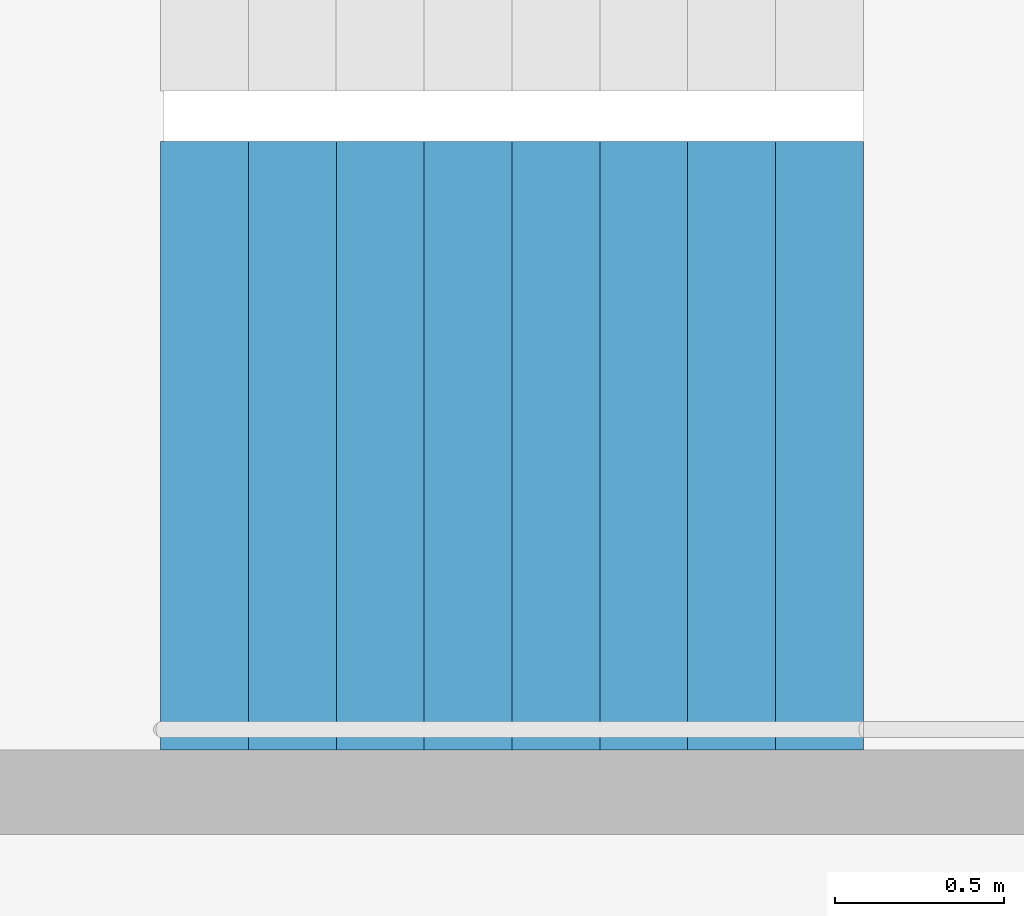
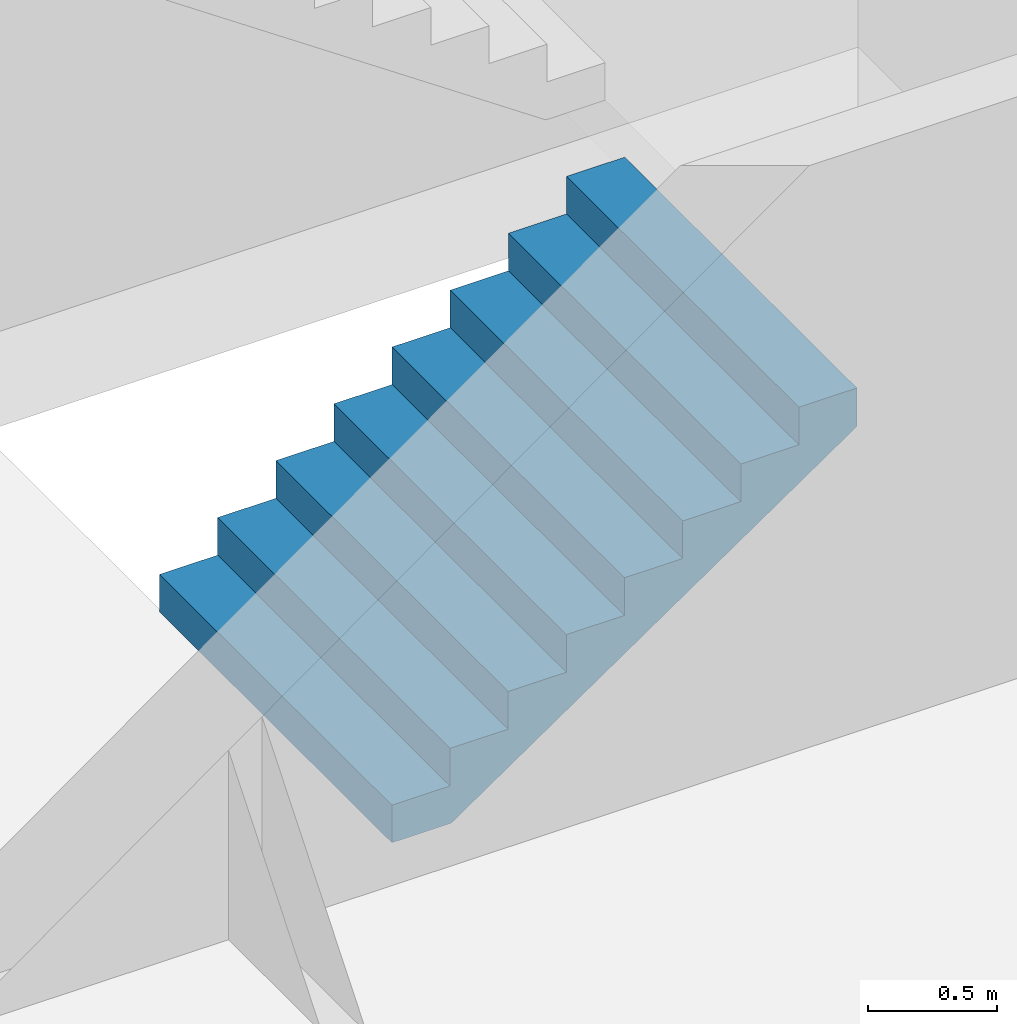
# One storey, part 21 of 32: 1 stair flight, 1 element without a shape of its own.
"""IFC4 building model written with IfcOpenShell, lengths in metres."""

from ifc_helpers import new_model, si_unit, direction, frame, origin, place, context, subcontext, project, spatial, triangles, material, type_object, element, aggregate, save


model = new_model("IFC4")

# Units and contexts
model_context = context("Model", 3, precision=1e-05, world=origin(), true_north=direction((0.0, 1.0)))
body_context = subcontext(model_context, "Body", "Model", "MODEL_VIEW")
ifc_project = project(units=[si_unit("LENGTHUNIT", "METRE"), si_unit("AREAUNIT", "SQUARE_METRE"), si_unit("VOLUMEUNIT", "CUBIC_METRE"), si_unit("PLANEANGLEUNIT", "RADIAN"), si_unit("MASSUNIT", "GRAM", prefix="KILO")], contexts=[model_context])

# Site, building, storey
site_placement = place(None, origin())
site = spatial("IfcSite", under=ifc_project, at=site_placement, CompositionType="ELEMENT")
building_placement = place(site_placement, origin())
building = spatial("IfcBuilding", under=site, at=building_placement, Name="Hakoniwa Tower and Hamabe Station Hall", CompositionType="ELEMENT")
storey_placement = place(building_placement, frame((0.0, 0.0, 150.199951171875)))
storey = spatial("IfcBuildingStorey", under=building, at=storey_placement, Name="L42", CompositionType="ELEMENT", Elevation=150.199951171875)

# Stair, stair flight
ifc_material_1 = material(Name="Concrete C40", Category="concrete")
stair_type = type_object("IfcStairType", Name="ESCAPE STAIR 1800", PredefinedType="HALF_TURN_STAIR", material=ifc_material_1)
stair_placement = place(storey_placement, origin())
stair = element("IfcStair", 1, at=stair_placement, inside=storey, type_object=stair_type, Name="Escape stair ST-1 L42", PredefinedType="HALF_TURN_STAIR")
ifc_material_2 = material(Name="Concrete C40", Category="concrete")
stair_flight_type = type_object("IfcStairFlightType", Name="STAIR FLIGHT 1800", PredefinedType="STRAIGHT", material=ifc_material_2)
stair_flight_placement = place(storey_placement, frame((-24.39990234375, 4.64990234375, 0.0), z_axis=(0.0, 0.0, 1.0), x_axis=(1.0, 0.0, 0.0)))
stair_flight = element("IfcStairFlight", 2, at=stair_flight_placement, type_object=stair_flight_type, Name="ST-1 flight 1", NumberOfRisers=9, NumberOfTreads=8, PredefinedType="STRAIGHT", RiserHeight=0.177777778, TreadLength=0.26, context=body_context, shape_type="Tessellation", body=[
    triangles([(0.0, 0.89990234375, 0.0), (0.260009765625, 0.89990234375, 0.0), (0.265625, 0.89990234375, 0.0), (0.52001953125, 0.89990234375, 0.174072265625), (0.780029296875, 0.89990234375, 0.351806640625), (1.0400390625, 0.89990234375, 0.529541015625), (1.300048828125, 0.89990234375, 0.707275390625), (1.56005859375, 0.89990234375, 0.885009765625), (1.820068359375, 0.89990234375, 1.062744140625), (2.080078125, 0.89990234375, 1.24072265625), (2.080078125, 0.89990234375, 1.422119140625), (1.820068359375, 0.89990234375, 1.422119140625), (1.820068359375, 0.89990234375, 1.244384765625), (1.56005859375, 0.89990234375, 1.244384765625), (1.56005859375, 0.89990234375, 1.066650390625), (1.300048828125, 0.89990234375, 1.066650390625), (1.300048828125, 0.89990234375, 0.888916015625), (1.0400390625, 0.89990234375, 0.888916015625), (1.0400390625, 0.89990234375, 0.711181640625), (0.780029296875, 0.89990234375, 0.711181640625), (0.780029296875, 0.89990234375, 0.533447265625), (0.52001953125, 0.89990234375, 0.533447265625), (0.52001953125, 0.89990234375, 0.35546875), (0.265625, 0.89990234375, 0.35546875), (0.260009765625, 0.89990234375, 0.35546875), (0.260009765625, 0.89990234375, 0.177734375), (0.0, 0.89990234375, 0.177734375), (0.0, 0.06005859375, 0.0), (0.260009765625, 0.06005859375, 0.0), (0.265625, 0.06005859375, 0.0), (0.52001953125, 0.06005859375, 0.174072265625), (0.780029296875, 0.06005859375, 0.351806640625), (1.0400390625, 0.06005859375, 0.529541015625), (1.300048828125, 0.06005859375, 0.707275390625), (1.56005859375, 0.06005859375, 0.885009765625), (1.820068359375, 0.06005859375, 1.062744140625), (2.080078125, 0.06005859375, 1.24072265625), (2.080078125, 0.06005859375, 1.422119140625), (1.820068359375, 0.06005859375, 1.422119140625), (1.820068359375, 0.06005859375, 1.244384765625), (1.56005859375, 0.06005859375, 1.244384765625), (1.56005859375, 0.06005859375, 1.066650390625), (1.300048828125, 0.06005859375, 1.066650390625), (1.300048828125, 0.06005859375, 0.888916015625), (1.0400390625, 0.06005859375, 0.888916015625), (1.0400390625, 0.06005859375, 0.711181640625), (0.780029296875, 0.06005859375, 0.711181640625), (0.780029296875, 0.06005859375, 0.533447265625), (0.52001953125, 0.06005859375, 0.533447265625), (0.52001953125, 0.06005859375, 0.35546875), (0.265625, 0.06005859375, 0.35546875), (0.260009765625, 0.06005859375, 0.35546875), (0.260009765625, 0.06005859375, 0.177734375), (0.0, 0.06005859375, 0.177734375), (0.0, 0.04296875, 0.0), (0.260009765625, 0.04296875, 0.0), (0.265625, 0.04296875, 0.0), (0.52001953125, 0.04296875, 0.174072265625), (0.780029296875, 0.04296875, 0.351806640625), (1.0400390625, 0.04296875, 0.529541015625), (1.300048828125, 0.04296875, 0.707275390625), (1.56005859375, 0.04296875, 0.885009765625), (1.820068359375, 0.04296875, 1.062744140625), (2.080078125, 0.04296875, 1.24072265625), (2.080078125, 0.04296875, 1.422119140625), (1.820068359375, 0.04296875, 1.422119140625), (1.820068359375, 0.04296875, 1.244384765625), (1.56005859375, 0.04296875, 1.244384765625), (1.56005859375, 0.04296875, 1.066650390625), (1.300048828125, 0.04296875, 1.066650390625), (1.300048828125, 0.04296875, 0.888916015625), (1.0400390625, 0.04296875, 0.888916015625), (1.0400390625, 0.04296875, 0.711181640625), (0.780029296875, 0.04296875, 0.711181640625), (0.780029296875, 0.04296875, 0.533447265625), (0.52001953125, 0.04296875, 0.533447265625), (0.52001953125, 0.04296875, 0.35546875), (0.265625, 0.04296875, 0.35546875), (0.260009765625, 0.04296875, 0.35546875), (0.260009765625, 0.04296875, 0.177734375), (0.0, 0.04296875, 0.177734375), (0.0, 0.025634765625, 0.0), (0.260009765625, 0.025634765625, 0.0), (0.265625, 0.025634765625, 0.0), (0.52001953125, 0.025634765625, 0.174072265625), (0.780029296875, 0.025634765625, 0.351806640625), (1.0400390625, 0.025634765625, 0.529541015625), (1.300048828125, 0.025634765625, 0.707275390625), (1.56005859375, 0.025634765625, 0.885009765625), (1.820068359375, 0.025634765625, 1.062744140625), (2.080078125, 0.025634765625, 1.24072265625), (2.080078125, 0.025634765625, 1.422119140625), (1.820068359375, 0.025634765625, 1.422119140625), (1.820068359375, 0.025634765625, 1.244384765625), (1.56005859375, 0.025634765625, 1.244384765625), (1.56005859375, 0.025634765625, 1.066650390625), (1.300048828125, 0.025634765625, 1.066650390625), (1.300048828125, 0.025634765625, 0.888916015625), (1.0400390625, 0.025634765625, 0.888916015625), (1.0400390625, 0.025634765625, 0.711181640625), (0.780029296875, 0.025634765625, 0.711181640625), (0.780029296875, 0.025634765625, 0.533447265625), (0.52001953125, 0.025634765625, 0.533447265625), (0.52001953125, 0.025634765625, 0.35546875), (0.265625, 0.025634765625, 0.35546875), (0.260009765625, 0.025634765625, 0.35546875), (0.260009765625, 0.025634765625, 0.177734375), (0.0, 0.025634765625, 0.177734375), (0.0, 0.008544921875, 0.0), (0.260009765625, 0.008544921875, 0.0), (0.265625, 0.008544921875, 0.0), (0.52001953125, 0.008544921875, 0.174072265625), (0.780029296875, 0.008544921875, 0.351806640625), (1.0400390625, 0.008544921875, 0.529541015625), (1.300048828125, 0.008544921875, 0.707275390625), (1.56005859375, 0.008544921875, 0.885009765625), (1.820068359375, 0.008544921875, 1.062744140625), (2.080078125, 0.008544921875, 1.24072265625), (2.080078125, 0.008544921875, 1.422119140625), (1.820068359375, 0.008544921875, 1.422119140625), (1.820068359375, 0.008544921875, 1.244384765625), (1.56005859375, 0.008544921875, 1.244384765625), (1.56005859375, 0.008544921875, 1.066650390625), (1.300048828125, 0.008544921875, 1.066650390625), (1.300048828125, 0.008544921875, 0.888916015625), (1.0400390625, 0.008544921875, 0.888916015625), (1.0400390625, 0.008544921875, 0.711181640625), (0.780029296875, 0.008544921875, 0.711181640625), (0.780029296875, 0.008544921875, 0.533447265625), (0.52001953125, 0.008544921875, 0.533447265625), (0.52001953125, 0.008544921875, 0.35546875), (0.265625, 0.008544921875, 0.35546875), (0.260009765625, 0.008544921875, 0.35546875), (0.260009765625, 0.008544921875, 0.177734375), (0.0, 0.008544921875, 0.177734375), (0.0, -0.008544921875, 0.0), (0.260009765625, -0.008544921875, 0.0), (0.265625, -0.008544921875, 0.0), (0.52001953125, -0.008544921875, 0.174072265625), (0.780029296875, -0.008544921875, 0.351806640625), (1.0400390625, -0.008544921875, 0.529541015625), (1.300048828125, -0.008544921875, 0.707275390625), (1.56005859375, -0.008544921875, 0.885009765625), (1.820068359375, -0.008544921875, 1.062744140625), (2.080078125, -0.008544921875, 1.24072265625), (2.080078125, -0.008544921875, 1.422119140625), (1.820068359375, -0.008544921875, 1.422119140625), (1.820068359375, -0.008544921875, 1.244384765625), (1.56005859375, -0.008544921875, 1.244384765625), (1.56005859375, -0.008544921875, 1.066650390625), (1.300048828125, -0.008544921875, 1.066650390625), (1.300048828125, -0.008544921875, 0.888916015625), (1.0400390625, -0.008544921875, 0.888916015625), (1.0400390625, -0.008544921875, 0.711181640625), (0.780029296875, -0.008544921875, 0.711181640625), (0.780029296875, -0.008544921875, 0.533447265625), (0.52001953125, -0.008544921875, 0.533447265625), (0.52001953125, -0.008544921875, 0.35546875), (0.265625, -0.008544921875, 0.35546875), (0.260009765625, -0.008544921875, 0.35546875), (0.260009765625, -0.008544921875, 0.177734375), (0.0, -0.008544921875, 0.177734375), (0.0, -0.025634765625, 0.0), (0.260009765625, -0.025634765625, 0.0), (0.265625, -0.025634765625, 0.0), (0.52001953125, -0.025634765625, 0.174072265625), (0.780029296875, -0.025634765625, 0.351806640625), (1.0400390625, -0.025634765625, 0.529541015625), (1.300048828125, -0.025634765625, 0.707275390625), (1.56005859375, -0.025634765625, 0.885009765625), (1.820068359375, -0.025634765625, 1.062744140625), (2.080078125, -0.025634765625, 1.24072265625), (2.080078125, -0.025634765625, 1.422119140625), (1.820068359375, -0.025634765625, 1.422119140625), (1.820068359375, -0.025634765625, 1.244384765625), (1.56005859375, -0.025634765625, 1.244384765625), (1.56005859375, -0.025634765625, 1.066650390625), (1.300048828125, -0.025634765625, 1.066650390625), (1.300048828125, -0.025634765625, 0.888916015625), (1.0400390625, -0.025634765625, 0.888916015625), (1.0400390625, -0.025634765625, 0.711181640625), (0.780029296875, -0.025634765625, 0.711181640625), (0.780029296875, -0.025634765625, 0.533447265625), (0.52001953125, -0.025634765625, 0.533447265625), (0.52001953125, -0.025634765625, 0.35546875), (0.265625, -0.025634765625, 0.35546875), (0.260009765625, -0.025634765625, 0.35546875), (0.260009765625, -0.025634765625, 0.177734375), (0.0, -0.025634765625, 0.177734375), (0.0, -0.04296875, 0.0), (0.260009765625, -0.04296875, 0.0), (0.265625, -0.04296875, 0.0), (0.52001953125, -0.04296875, 0.174072265625), (0.780029296875, -0.04296875, 0.351806640625), (1.0400390625, -0.04296875, 0.529541015625), (1.300048828125, -0.04296875, 0.707275390625), (1.56005859375, -0.04296875, 0.885009765625), (1.820068359375, -0.04296875, 1.062744140625), (2.080078125, -0.04296875, 1.24072265625), (2.080078125, -0.04296875, 1.422119140625), (1.820068359375, -0.04296875, 1.422119140625), (1.820068359375, -0.04296875, 1.244384765625), (1.56005859375, -0.04296875, 1.244384765625), (1.56005859375, -0.04296875, 1.066650390625), (1.300048828125, -0.04296875, 1.066650390625), (1.300048828125, -0.04296875, 0.888916015625), (1.0400390625, -0.04296875, 0.888916015625), (1.0400390625, -0.04296875, 0.711181640625), (0.780029296875, -0.04296875, 0.711181640625), (0.780029296875, -0.04296875, 0.533447265625), (0.52001953125, -0.04296875, 0.533447265625), (0.52001953125, -0.04296875, 0.35546875), (0.265625, -0.04296875, 0.35546875), (0.260009765625, -0.04296875, 0.35546875), (0.260009765625, -0.04296875, 0.177734375), (0.0, -0.04296875, 0.177734375), (0.0, -0.06005859375, 0.0), (0.260009765625, -0.06005859375, 0.0), (0.265625, -0.06005859375, 0.0), (0.52001953125, -0.06005859375, 0.174072265625), (0.780029296875, -0.06005859375, 0.351806640625), (1.0400390625, -0.06005859375, 0.529541015625), (1.300048828125, -0.06005859375, 0.707275390625), (1.56005859375, -0.06005859375, 0.885009765625), (1.820068359375, -0.06005859375, 1.062744140625), (2.080078125, -0.06005859375, 1.24072265625), (2.080078125, -0.06005859375, 1.422119140625), (1.820068359375, -0.06005859375, 1.422119140625), (1.820068359375, -0.06005859375, 1.244384765625), (1.56005859375, -0.06005859375, 1.244384765625), (1.56005859375, -0.06005859375, 1.066650390625), (1.300048828125, -0.06005859375, 1.066650390625), (1.300048828125, -0.06005859375, 0.888916015625), (1.0400390625, -0.06005859375, 0.888916015625), (1.0400390625, -0.06005859375, 0.711181640625), (0.780029296875, -0.06005859375, 0.711181640625), (0.780029296875, -0.06005859375, 0.533447265625), (0.52001953125, -0.06005859375, 0.533447265625), (0.52001953125, -0.06005859375, 0.35546875), (0.265625, -0.06005859375, 0.35546875), (0.260009765625, -0.06005859375, 0.35546875), (0.260009765625, -0.06005859375, 0.177734375), (0.0, -0.06005859375, 0.177734375), (0.0, -0.89990234375, 0.0), (0.260009765625, -0.89990234375, 0.0), (0.265625, -0.89990234375, 0.0), (0.52001953125, -0.89990234375, 0.174072265625), (0.780029296875, -0.89990234375, 0.351806640625), (1.0400390625, -0.89990234375, 0.529541015625), (1.300048828125, -0.89990234375, 0.707275390625), (1.56005859375, -0.89990234375, 0.885009765625), (1.820068359375, -0.89990234375, 1.062744140625), (2.080078125, -0.89990234375, 1.24072265625), (2.080078125, -0.89990234375, 1.422119140625), (1.820068359375, -0.89990234375, 1.422119140625), (1.820068359375, -0.89990234375, 1.244384765625), (1.56005859375, -0.89990234375, 1.244384765625), (1.56005859375, -0.89990234375, 1.066650390625), (1.300048828125, -0.89990234375, 1.066650390625), (1.300048828125, -0.89990234375, 0.888916015625), (1.0400390625, -0.89990234375, 0.888916015625), (1.0400390625, -0.89990234375, 0.711181640625), (0.780029296875, -0.89990234375, 0.711181640625), (0.780029296875, -0.89990234375, 0.533447265625), (0.52001953125, -0.89990234375, 0.533447265625), (0.52001953125, -0.89990234375, 0.35546875), (0.265625, -0.89990234375, 0.35546875), (0.260009765625, -0.89990234375, 0.35546875), (0.260009765625, -0.89990234375, 0.177734375), (0.0, -0.89990234375, 0.177734375)], [[2, 27, 26], [245, 269, 270], [2, 1, 27], [245, 270, 244], [3, 25, 24], [246, 267, 268], [3, 26, 25], [246, 268, 269], [3, 2, 26], [246, 269, 245], [4, 24, 23], [247, 266, 267], [4, 3, 24], [247, 267, 246], [5, 22, 21], [248, 264, 265], [5, 23, 22], [248, 265, 266], [5, 4, 23], [248, 266, 247], [6, 20, 19], [249, 262, 263], [6, 21, 20], [249, 263, 264], [6, 5, 21], [249, 264, 248], [7, 18, 17], [250, 260, 261], [7, 19, 18], [250, 261, 262], [7, 6, 19], [250, 262, 249], [8, 16, 15], [251, 258, 259], [8, 17, 16], [251, 259, 260], [8, 7, 17], [251, 260, 250], [9, 14, 13], [252, 256, 257], [9, 15, 14], [252, 257, 258], [9, 8, 15], [252, 258, 251], [10, 12, 11], [253, 254, 255], [10, 13, 12], [253, 255, 256], [10, 9, 13], [253, 256, 252], [1, 2, 29], [1, 29, 28], [28, 29, 56], [28, 56, 55], [55, 56, 83], [55, 83, 82], [82, 83, 110], [82, 110, 109], [109, 110, 137], [109, 137, 136], [136, 137, 164], [136, 164, 163], [163, 164, 191], [163, 191, 190], [190, 191, 218], [190, 218, 217], [217, 218, 245], [217, 245, 244], [2, 3, 30], [2, 30, 29], [29, 30, 57], [29, 57, 56], [56, 57, 84], [56, 84, 83], [83, 84, 111], [83, 111, 110], [110, 111, 138], [110, 138, 137], [137, 138, 165], [137, 165, 164], [164, 165, 192], [164, 192, 191], [191, 192, 219], [191, 219, 218], [218, 219, 246], [218, 246, 245], [3, 4, 31], [3, 31, 30], [30, 31, 58], [30, 58, 57], [57, 58, 85], [57, 85, 84], [84, 85, 112], [84, 112, 111], [111, 112, 139], [111, 139, 138], [138, 139, 166], [138, 166, 165], [165, 166, 193], [165, 193, 192], [192, 193, 220], [192, 220, 219], [219, 220, 247], [219, 247, 246], [4, 5, 32], [4, 32, 31], [31, 32, 59], [31, 59, 58], [58, 59, 86], [58, 86, 85], [85, 86, 113], [85, 113, 112], [112, 113, 140], [112, 140, 139], [139, 140, 167], [139, 167, 166], [166, 167, 194], [166, 194, 193], [193, 194, 221], [193, 221, 220], [220, 221, 248], [220, 248, 247], [5, 6, 33], [5, 33, 32], [32, 33, 60], [32, 60, 59], [59, 60, 87], [59, 87, 86], [86, 87, 114], [86, 114, 113], [113, 114, 141], [113, 141, 140], [140, 141, 168], [140, 168, 167], [167, 168, 195], [167, 195, 194], [194, 195, 222], [194, 222, 221], [221, 222, 249], [221, 249, 248], [6, 7, 34], [6, 34, 33], [33, 34, 61], [33, 61, 60], [60, 61, 88], [60, 88, 87], [87, 88, 115], [87, 115, 114], [114, 115, 142], [114, 142, 141], [141, 142, 169], [141, 169, 168], [168, 169, 196], [168, 196, 195], [195, 196, 223], [195, 223, 222], [222, 223, 250], [222, 250, 249], [7, 8, 35], [7, 35, 34], [34, 35, 62], [34, 62, 61], [61, 62, 89], [61, 89, 88], [88, 89, 116], [88, 116, 115], [115, 116, 143], [115, 143, 142], [142, 143, 170], [142, 170, 169], [169, 170, 197], [169, 197, 196], [196, 197, 224], [196, 224, 223], [223, 224, 251], [223, 251, 250], [8, 9, 36], [8, 36, 35], [35, 36, 63], [35, 63, 62], [62, 63, 90], [62, 90, 89], [89, 90, 117], [89, 117, 116], [116, 117, 144], [116, 144, 143], [143, 144, 171], [143, 171, 170], [170, 171, 198], [170, 198, 197], [197, 198, 225], [197, 225, 224], [224, 225, 252], [224, 252, 251], [9, 10, 37], [9, 37, 36], [36, 37, 64], [36, 64, 63], [63, 64, 91], [63, 91, 90], [90, 91, 118], [90, 118, 117], [117, 118, 145], [117, 145, 144], [144, 145, 172], [144, 172, 171], [171, 172, 199], [171, 199, 198], [198, 199, 226], [198, 226, 225], [225, 226, 253], [225, 253, 252], [10, 11, 38], [10, 38, 37], [37, 38, 65], [37, 65, 64], [64, 65, 92], [64, 92, 91], [91, 92, 119], [91, 119, 118], [118, 119, 146], [118, 146, 145], [145, 146, 173], [145, 173, 172], [172, 173, 200], [172, 200, 199], [199, 200, 227], [199, 227, 226], [226, 227, 254], [226, 254, 253], [11, 12, 39], [11, 39, 38], [38, 39, 66], [38, 66, 65], [65, 66, 93], [65, 93, 92], [92, 93, 120], [92, 120, 119], [119, 120, 147], [119, 147, 146], [146, 147, 174], [146, 174, 173], [173, 174, 201], [173, 201, 200], [200, 201, 228], [200, 228, 227], [227, 228, 255], [227, 255, 254], [12, 13, 40], [12, 40, 39], [39, 40, 67], [39, 67, 66], [66, 67, 94], [66, 94, 93], [93, 94, 121], [93, 121, 120], [120, 121, 148], [120, 148, 147], [147, 148, 175], [147, 175, 174], [174, 175, 202], [174, 202, 201], [201, 202, 229], [201, 229, 228], [228, 229, 256], [228, 256, 255], [13, 14, 41], [13, 41, 40], [40, 41, 68], [40, 68, 67], [67, 68, 95], [67, 95, 94], [94, 95, 122], [94, 122, 121], [121, 122, 149], [121, 149, 148], [148, 149, 176], [148, 176, 175], [175, 176, 203], [175, 203, 202], [202, 203, 230], [202, 230, 229], [229, 230, 257], [229, 257, 256], [14, 15, 42], [14, 42, 41], [41, 42, 69], [41, 69, 68], [68, 69, 96], [68, 96, 95], [95, 96, 123], [95, 123, 122], [122, 123, 150], [122, 150, 149], [149, 150, 177], [149, 177, 176], [176, 177, 204], [176, 204, 203], [203, 204, 231], [203, 231, 230], [230, 231, 258], [230, 258, 257], [15, 16, 43], [15, 43, 42], [42, 43, 70], [42, 70, 69], [69, 70, 97], [69, 97, 96], [96, 97, 124], [96, 124, 123], [123, 124, 151], [123, 151, 150], [150, 151, 178], [150, 178, 177], [177, 178, 205], [177, 205, 204], [204, 205, 232], [204, 232, 231], [231, 232, 259], [231, 259, 258], [16, 17, 44], [16, 44, 43], [43, 44, 71], [43, 71, 70], [70, 71, 98], [70, 98, 97], [97, 98, 125], [97, 125, 124], [124, 125, 152], [124, 152, 151], [151, 152, 179], [151, 179, 178], [178, 179, 206], [178, 206, 205], [205, 206, 233], [205, 233, 232], [232, 233, 260], [232, 260, 259], [17, 18, 45], [17, 45, 44], [44, 45, 72], [44, 72, 71], [71, 72, 99], [71, 99, 98], [98, 99, 126], [98, 126, 125], [125, 126, 153], [125, 153, 152], [152, 153, 180], [152, 180, 179], [179, 180, 207], [179, 207, 206], [206, 207, 234], [206, 234, 233], [233, 234, 261], [233, 261, 260], [18, 19, 46], [18, 46, 45], [45, 46, 73], [45, 73, 72], [72, 73, 100], [72, 100, 99], [99, 100, 127], [99, 127, 126], [126, 127, 154], [126, 154, 153], [153, 154, 181], [153, 181, 180], [180, 181, 208], [180, 208, 207], [207, 208, 235], [207, 235, 234], [234, 235, 262], [234, 262, 261], [19, 20, 47], [19, 47, 46], [46, 47, 74], [46, 74, 73], [73, 74, 101], [73, 101, 100], [100, 101, 128], [100, 128, 127], [127, 128, 155], [127, 155, 154], [154, 155, 182], [154, 182, 181], [181, 182, 209], [181, 209, 208], [208, 209, 236], [208, 236, 235], [235, 236, 263], [235, 263, 262], [20, 21, 48], [20, 48, 47], [47, 48, 75], [47, 75, 74], [74, 75, 102], [74, 102, 101], [101, 102, 129], [101, 129, 128], [128, 129, 156], [128, 156, 155], [155, 156, 183], [155, 183, 182], [182, 183, 210], [182, 210, 209], [209, 210, 237], [209, 237, 236], [236, 237, 264], [236, 264, 263], [21, 22, 49], [21, 49, 48], [48, 49, 76], [48, 76, 75], [75, 76, 103], [75, 103, 102], [102, 103, 130], [102, 130, 129], [129, 130, 157], [129, 157, 156], [156, 157, 184], [156, 184, 183], [183, 184, 211], [183, 211, 210], [210, 211, 238], [210, 238, 237], [237, 238, 265], [237, 265, 264], [22, 23, 50], [22, 50, 49], [49, 50, 77], [49, 77, 76], [76, 77, 104], [76, 104, 103], [103, 104, 131], [103, 131, 130], [130, 131, 158], [130, 158, 157], [157, 158, 185], [157, 185, 184], [184, 185, 212], [184, 212, 211], [211, 212, 239], [211, 239, 238], [238, 239, 266], [238, 266, 265], [23, 24, 51], [23, 51, 50], [50, 51, 78], [50, 78, 77], [77, 78, 105], [77, 105, 104], [104, 105, 132], [104, 132, 131], [131, 132, 159], [131, 159, 158], [158, 159, 186], [158, 186, 185], [185, 186, 213], [185, 213, 212], [212, 213, 240], [212, 240, 239], [239, 240, 267], [239, 267, 266], [24, 25, 52], [24, 52, 51], [51, 52, 79], [51, 79, 78], [78, 79, 106], [78, 106, 105], [105, 106, 133], [105, 133, 132], [132, 133, 160], [132, 160, 159], [159, 160, 187], [159, 187, 186], [186, 187, 214], [186, 214, 213], [213, 214, 241], [213, 241, 240], [240, 241, 268], [240, 268, 267], [25, 26, 53], [25, 53, 52], [52, 53, 80], [52, 80, 79], [79, 80, 107], [79, 107, 106], [106, 107, 134], [106, 134, 133], [133, 134, 161], [133, 161, 160], [160, 161, 188], [160, 188, 187], [187, 188, 215], [187, 215, 214], [214, 215, 242], [214, 242, 241], [241, 242, 269], [241, 269, 268], [26, 27, 54], [26, 54, 53], [53, 54, 81], [53, 81, 80], [80, 81, 108], [80, 108, 107], [107, 108, 135], [107, 135, 134], [134, 135, 162], [134, 162, 161], [161, 162, 189], [161, 189, 188], [188, 189, 216], [188, 216, 215], [215, 216, 243], [215, 243, 242], [242, 243, 270], [242, 270, 269], [27, 1, 28], [27, 28, 54], [54, 28, 55], [54, 55, 81], [81, 55, 82], [81, 82, 108], [108, 82, 109], [108, 109, 135], [135, 109, 136], [135, 136, 162], [162, 136, 163], [162, 163, 189], [189, 163, 190], [189, 190, 216], [216, 190, 217], [216, 217, 243], [243, 217, 244], [243, 244, 270]], closed=True),
])
aggregate(stair, [stair_flight])

save(model, "model.ifc")
